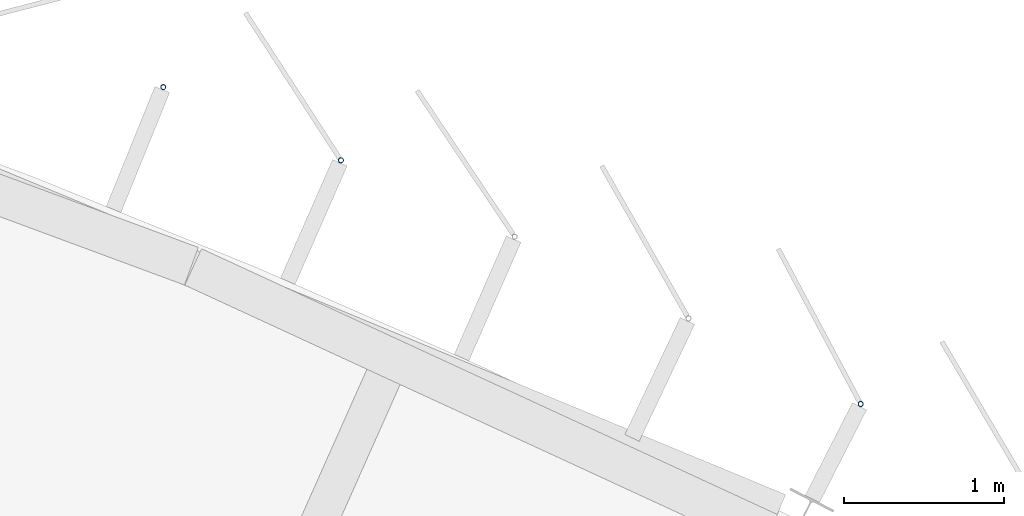
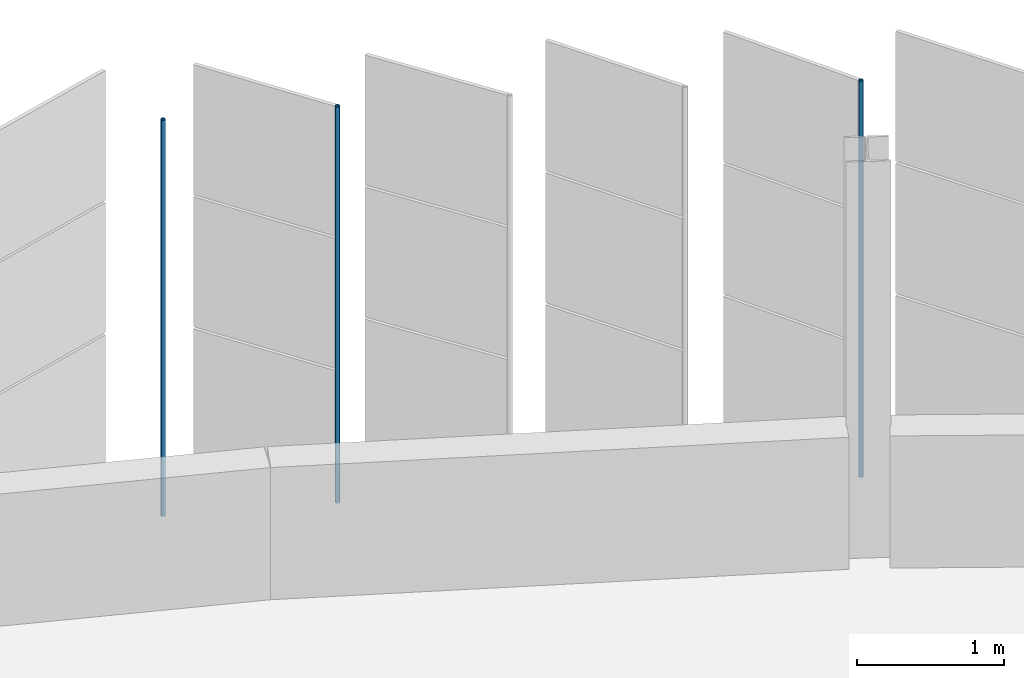
# One storey, part 161 of 199: 3 discrete accessories.
"""IFC4 building model written with IfcOpenShell, lengths in metres."""

from ifc_helpers import new_model, si_unit, direction, frame, origin, origin_2d, place, context, subcontext, project, spatial, hollow_circle, extrude, material, material_profile, profile_set, type_object, element, save


model = new_model("IFC4")

# Units and contexts
model_context = context("Model", 3, precision=1e-05, world=origin(), true_north=direction((0.0, 1.0)))
body_context = subcontext(model_context, "Body", "Model", "MODEL_VIEW")
ifc_project = project(units=[si_unit("LENGTHUNIT", "METRE"), si_unit("AREAUNIT", "SQUARE_METRE"), si_unit("VOLUMEUNIT", "CUBIC_METRE"), si_unit("PLANEANGLEUNIT", "RADIAN"), si_unit("MASSUNIT", "GRAM", prefix="KILO")], contexts=[model_context])

# Site, building, storey
site_placement = place(None, origin())
site = spatial("IfcSite", under=ifc_project, at=site_placement, CompositionType="ELEMENT")
building_placement = place(site_placement, origin())
building = spatial("IfcBuilding", under=site, at=building_placement, Name="Parallax Yard Mobility Hub", CompositionType="ELEMENT")
storey_placement = place(building_placement, frame((0.0, 0.0, 9.89990234375)))
storey = spatial("IfcBuildingStorey", under=building, at=storey_placement, Name="L03", CompositionType="ELEMENT", Elevation=9.89990234375)

# Discrete accessories
ifc_material = material(Name="Steel ASTM A500 Gr C, hot-dip galvanised", Category="steel")
ifc_material_profile = material_profile(ifc_material, hollow_circle(Radius=0.016845703125, WallThickness=0.003173828125, at=origin_2d()), Name="CHS 33.7x3.2")
ifc_profile_set = profile_set([ifc_material_profile], Name="Steel ASTM A500 Gr C, hot-dip galvanised")
discrete_accessory_type = type_object("IfcDiscreteAccessoryType", Name="Hinge post CHS 33.7x3.2", PredefinedType="BRACKET", material=ifc_profile_set)
for number, where, z_axis, x_axis, name in (
    (1, (196.705810546875, 137.50732421875, 0.0), (0.0, 0.0, 1.0), (1.0, 0.0, 0.0), "Hinge post bay 48.1 level L03"),
    (2, (193.461181640625, 139.0283203125, 0.0), (0.0, 0.0, 1.0), (1.0, 0.0, 0.0), "Hinge post bay 48.4 level L03"),
    (3, (192.35205078125, 139.4853515625, 0.0), (0.0, 0.0, 1.0), (1.0, 0.0, 0.0), "Hinge post bay 48.5 level L03"),
):
    element("IfcDiscreteAccessory", number, at=place(storey_placement, frame(where, z_axis=z_axis, x_axis=x_axis)), inside=storey, type_object=discrete_accessory_type, Name=name, PredefinedType="BRACKET", context=body_context, shape_type="SweptSolid", body=[
        extrude(hollow_circle(Radius=0.016845703125, WallThickness=0.003173828125, at=origin_2d()), origin(), (0.0, 0.0, 1.0), 3.300048828125),
    ])

save(model, "model.ifc")
